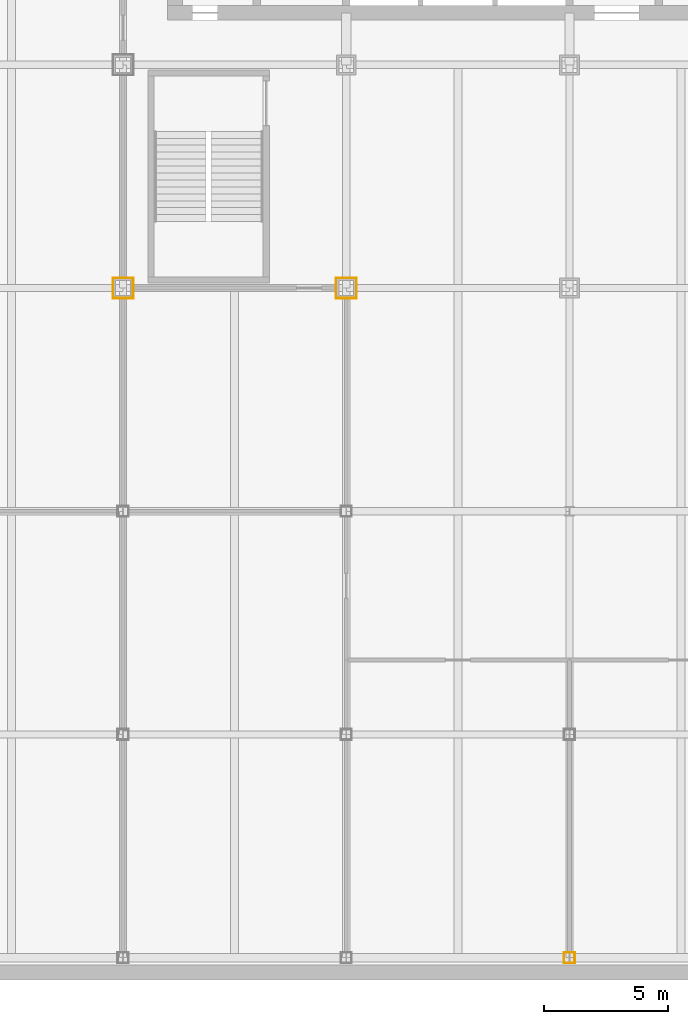
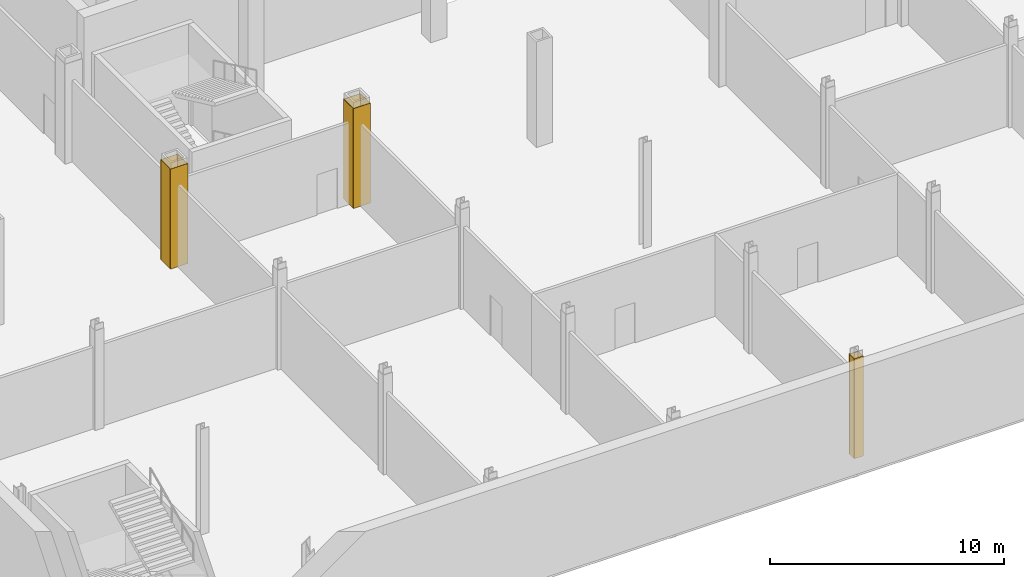
# One storey, part 16 of 27: 12 coverings.
"""IFC4 building model written with IfcOpenShell, lengths in metres."""

from ifc_helpers import new_model, si_unit, direction, frame, origin, origin_2d, place, context, subcontext, project, spatial, rectangle, extrude, material, layer, layer_set, type_object, element, save


model = new_model("IFC4")

# Units and contexts
model_context = context("Model", 3, precision=1e-05, world=origin(), true_north=direction((0.0, 1.0)))
body_context = subcontext(model_context, "Body", "Model", "MODEL_VIEW")
ifc_project = project(units=[si_unit("LENGTHUNIT", "METRE"), si_unit("AREAUNIT", "SQUARE_METRE"), si_unit("VOLUMEUNIT", "CUBIC_METRE"), si_unit("PLANEANGLEUNIT", "RADIAN"), si_unit("MASSUNIT", "GRAM", prefix="KILO")], contexts=[model_context])

# Site, building, storey
site_placement = place(None, origin())
site = spatial("IfcSite", under=ifc_project, at=site_placement, CompositionType="ELEMENT")
building_placement = place(site_placement, origin())
building = spatial("IfcBuilding", under=site, at=building_placement, Name="Loomwork Tower", CompositionType="ELEMENT")
storey_placement = place(building_placement, frame((0.0, 0.0, -5.5)))
storey = spatial("IfcBuildingStorey", under=building, at=storey_placement, Name="B1", CompositionType="ELEMENT", Elevation=-5.5)

# Coverings
ifc_material = material(Name="Two-hour fire-rated gypsum board casing")
ifc_layer = layer(ifc_material, 0.02490234375)
ifc_layer_set = layer_set([ifc_layer], Name="Column fire casing 25")
covering_type = type_object("IfcCoveringType", Name="Column fire casing 25", PredefinedType="CLADDING", material=ifc_layer_set)
for number, where, z_axis, x_axis, name in (
    (1, (9.0, 0.41259765625, 0.0), (0.0, 0.0, 1.0), (1.0, 0.0, 0.0), "Column casing 9 0 B1"),
    (2, (9.0, -0.41259765625, 0.0), (0.0, 0.0, 1.0), (1.0, 0.0, 0.0), "Column casing 9 0 B1"),
):
    element("IfcCovering", number, at=place(storey_placement, frame(where, z_axis=z_axis, x_axis=x_axis)), inside=storey, type_object=covering_type, Name=name, PredefinedType="CLADDING", context=body_context, shape_type="SweptSolid", body=[
        extrude(rectangle(XDim=0.85009765625, YDim=0.02490234375, at=origin_2d()), origin(), (0.0, 0.0, 1.0), 5.199951171875),
    ])
for number, where, z_axis, x_axis, name in (
    (3, (9.41259765625, 0.0, 0.0), (0.0, 0.0, 1.0), (1.0, 0.0, 0.0), "Column casing 9 0 B1"),
    (4, (8.58740234375, 0.0, 0.0), (0.0, 0.0, 1.0), (1.0, 0.0, 0.0), "Column casing 9 0 B1"),
):
    element("IfcCovering", number, at=place(storey_placement, frame(where, z_axis=z_axis, x_axis=x_axis)), inside=storey, type_object=covering_type, Name=name, PredefinedType="CLADDING", context=body_context, shape_type="SweptSolid", body=[
        extrude(rectangle(XDim=0.02490234375, YDim=0.800048828125, at=origin_2d()), origin(), (0.0, 0.0, 1.0), 5.199951171875),
    ])
for number, where, z_axis, x_axis, name in (
    (5, (18.0, 0.41259765625, 0.0), (0.0, 0.0, 1.0), (1.0, 0.0, 0.0), "Column casing 18 0 B1"),
    (6, (18.0, -0.41259765625, 0.0), (0.0, 0.0, 1.0), (1.0, 0.0, 0.0), "Column casing 18 0 B1"),
):
    element("IfcCovering", number, at=place(storey_placement, frame(where, z_axis=z_axis, x_axis=x_axis)), inside=storey, type_object=covering_type, Name=name, PredefinedType="CLADDING", context=body_context, shape_type="SweptSolid", body=[
        extrude(rectangle(XDim=0.85009765625, YDim=0.02490234375, at=origin_2d()), origin(), (0.0, 0.0, 1.0), 5.199951171875),
    ])
for number, where, z_axis, x_axis, name in (
    (7, (18.41259765625, 0.0, 0.0), (0.0, 0.0, 1.0), (1.0, 0.0, 0.0), "Column casing 18 0 B1"),
    (8, (17.58740234375, 0.0, 0.0), (0.0, 0.0, 1.0), (1.0, 0.0, 0.0), "Column casing 18 0 B1"),
):
    element("IfcCovering", number, at=place(storey_placement, frame(where, z_axis=z_axis, x_axis=x_axis)), inside=storey, type_object=covering_type, Name=name, PredefinedType="CLADDING", context=body_context, shape_type="SweptSolid", body=[
        extrude(rectangle(XDim=0.02490234375, YDim=0.800048828125, at=origin_2d()), origin(), (0.0, 0.0, 1.0), 5.199951171875),
    ])
for number, where, z_axis, x_axis, name in (
    (9, (27.0, -26.7880859375, 0.0), (0.0, 0.0, 1.0), (1.0, 0.0, 0.0), "Column casing 27 -27 B1"),
    (10, (27.0, -27.2119140625, 0.0), (0.0, 0.0, 1.0), (1.0, 0.0, 0.0), "Column casing 27 -27 B1"),
):
    element("IfcCovering", number, at=place(storey_placement, frame(where, z_axis=z_axis, x_axis=x_axis)), inside=storey, type_object=covering_type, Name=name, PredefinedType="CLADDING", context=body_context, shape_type="SweptSolid", body=[
        extrude(rectangle(XDim=0.451416015625, YDim=0.02490234375, at=origin_2d()), origin(), (0.0, 0.0, 1.0), 5.199951171875),
    ])
for number, where, z_axis, x_axis, name in (
    (11, (27.213134765625, -27.0, 0.0), (0.0, 0.0, 1.0), (1.0, 0.0, 0.0), "Column casing 27 -27 B1"),
    (12, (26.786865234375, -27.0, 0.0), (0.0, 0.0, 1.0), (1.0, 0.0, 0.0), "Column casing 27 -27 B1"),
):
    element("IfcCovering", number, at=place(storey_placement, frame(where, z_axis=z_axis, x_axis=x_axis)), inside=storey, type_object=covering_type, Name=name, PredefinedType="CLADDING", context=body_context, shape_type="SweptSolid", body=[
        extrude(rectangle(XDim=0.02490234375, YDim=0.398681640625, at=origin_2d()), origin(), (0.0, 0.0, 1.0), 5.199951171875),
    ])

save(model, "model.ifc")
